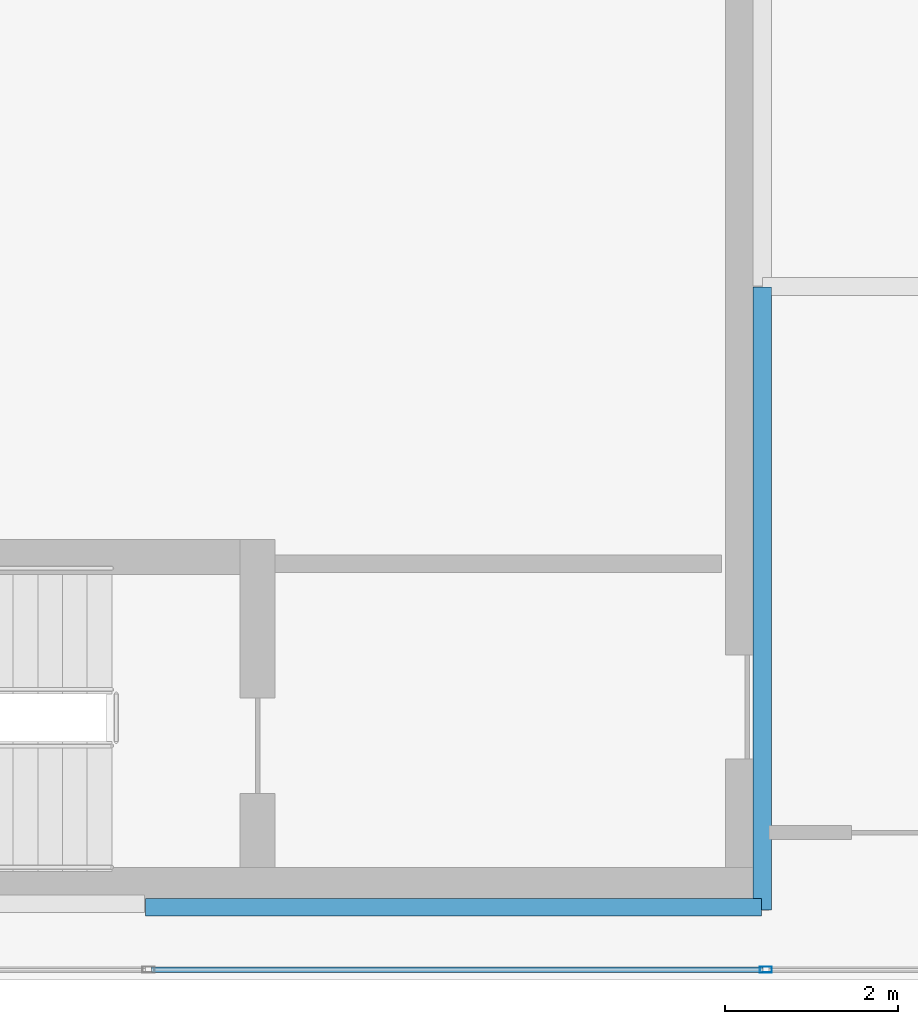
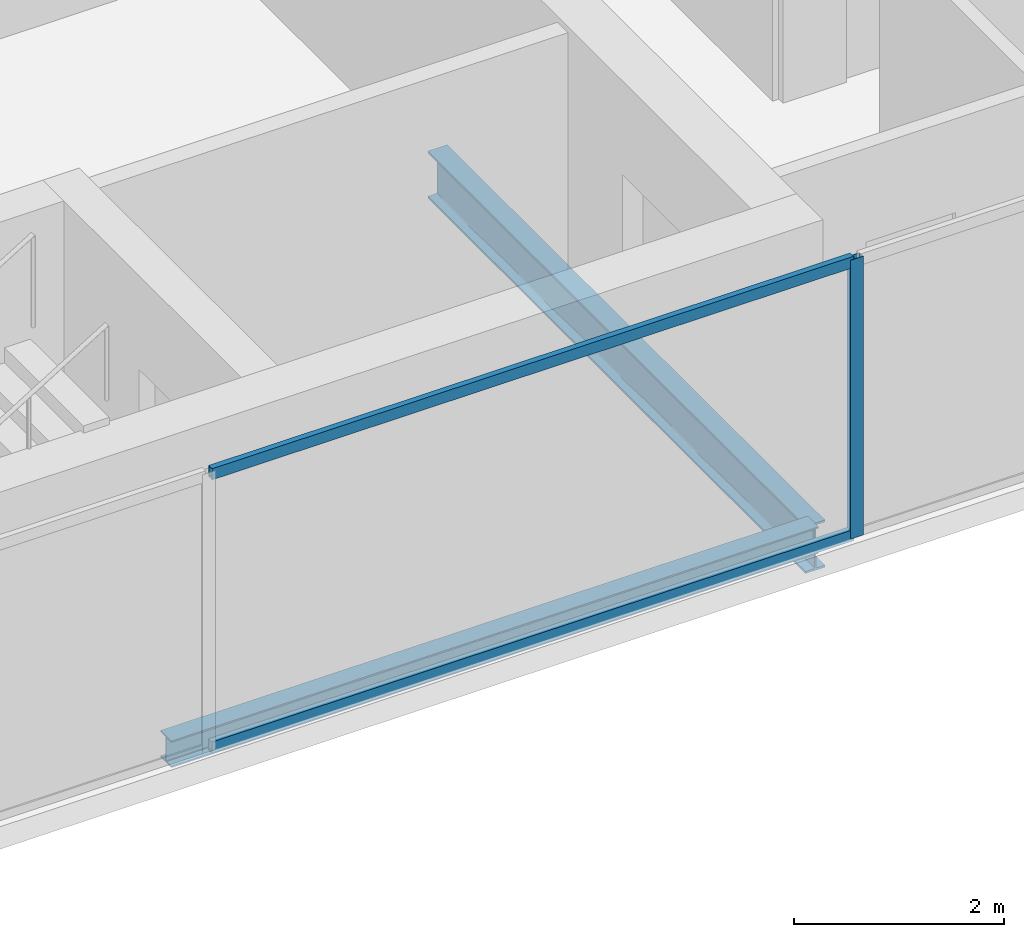
# One storey, part 3 of 23: 3 members, 2 beams, 1 element without a shape of its own.
"""IFC4 building model written with IfcOpenShell, lengths in metres."""

from ifc_helpers import new_model, si_unit, direction, frame, origin, origin_2d, place, context, subcontext, project, spatial, hollow_rectangle, i_section, extrude, material, material_profile, profile_set, type_object, element, aggregate, save


model = new_model("IFC4")

# Units and contexts
model_context = context("Model", 3, precision=1e-05, world=origin(), true_north=direction((0.0, 1.0)))
body_context = subcontext(model_context, "Body", "Model", "MODEL_VIEW")
ifc_project = project(units=[si_unit("LENGTHUNIT", "METRE"), si_unit("AREAUNIT", "SQUARE_METRE"), si_unit("VOLUMEUNIT", "CUBIC_METRE"), si_unit("PLANEANGLEUNIT", "RADIAN"), si_unit("MASSUNIT", "GRAM", prefix="KILO")], contexts=[model_context])

# Site, building, storey
site_placement = place(None, origin())
site = spatial("IfcSite", under=ifc_project, at=site_placement, CompositionType="ELEMENT")
building_placement = place(site_placement, origin())
building = spatial("IfcBuilding", under=site, at=building_placement, Name="Cobrela Telecom Tower", CompositionType="ELEMENT")
storey_placement = place(building_placement, frame((0.0, 0.0, 276.14990234375)))
storey = spatial("IfcBuildingStorey", under=building, at=storey_placement, Name="L72", CompositionType="ELEMENT", Elevation=276.14990234375)

# Beams
ifc_material_1 = material(Name="Steel ASTM A992 Grade 50", Category="steel")
ifc_material_profile_1 = material_profile(ifc_material_1, i_section(OverallWidth=0.212890625, OverallDepth=0.549072265625, WebThickness=0.0146484375, FlangeThickness=0.023681640625, FilletRadius=0.013916015625, at=origin_2d()), Name="W21X93")
ifc_profile_set_1 = profile_set([ifc_material_profile_1], Name="Steel ASTM A992 Grade 50")
beam_type_1 = type_object("IfcBeamType", Name="BM-GIRD-08", PredefinedType="USERDEFINED", material=ifc_profile_set_1)
beam_1_placement = place(storey_placement, frame((14.320068359375, 7.205078125, -0.534423828125), z_axis=(0.0, 1.0, 0.0), x_axis=(-1.0, 0.0, 0.0)))
element("IfcBeam", 1, at=beam_1_placement, inside=storey, type_object=beam_type_1, Name="L72 Primary Girder Y21", ObjectType="GIRDER", PredefinedType="USERDEFINED", context=body_context, shape_type="SweptSolid", body=[
    extrude(i_section(OverallWidth=0.212890625, OverallDepth=0.549072265625, WebThickness=0.0146484375, FlangeThickness=0.023681640625, FilletRadius=0.013916015625, at=origin_2d()), origin(), (0.0, 0.0, 1.0), 7.18994140625),
])
ifc_material_profile_2 = material_profile(ifc_material_1, i_section(OverallWidth=0.205078125, OverallDepth=0.31005859375, WebThickness=0.009521484375, FlangeThickness=0.016357421875, FilletRadius=0.010986328125, at=origin_2d()), Name="W12X50")
ifc_profile_set_2 = profile_set([ifc_material_profile_2], Name="Steel ASTM A992 Grade 50")
beam_type_2 = type_object("IfcBeamType", Name="BM-SPAND-07", PredefinedType="SPANDREL", material=ifc_profile_set_2)
beam_2_placement = place(storey_placement, frame((7.205078125, 7.239990234375, -0.414794921875), z_axis=(1.0, 0.0, 0.0), x_axis=(0.0, 1.0, 0.0)))
element("IfcBeam", 2, at=beam_2_placement, inside=storey, type_object=beam_type_2, Name="L72 Perimeter Spandrel X02", PredefinedType="SPANDREL", context=body_context, shape_type="SweptSolid", body=[
    extrude(i_section(OverallWidth=0.205078125, OverallDepth=0.31005859375, WebThickness=0.009521484375, FlangeThickness=0.016357421875, FilletRadius=0.010986328125, at=origin_2d()), origin(), (0.0, 0.0, 1.0), 7.10986328125),
])

# Curtain wall, members
ifc_material_2 = material(Name="Anodized Bronze Aluminium 6063-T6", Category="aluminium")
curtain_wall_type = type_object("IfcCurtainWallType", Name="CW-SYS-OFF-HI", PredefinedType="USERDEFINED", material=ifc_material_2)
curtain_wall_placement = place(storey_placement, origin())
curtain_wall = element("IfcCurtainWall", 3, at=curtain_wall_placement, inside=storey, type_object=curtain_wall_type, Name="L72 Unitised Bronze Curtain Wall 15", ObjectType="UNITISED CURTAIN WALL", PredefinedType="USERDEFINED")
ifc_material_profile_3 = material_profile(ifc_material_2, hollow_rectangle(XDim=0.070068359375, YDim=0.139892578125, WallThickness=0.00390625, at=origin_2d()), Name="ALU 70x140x4")
ifc_profile_set_3 = profile_set([ifc_material_profile_3], Name="Anodized Bronze Aluminium 6063-T6")
member_type_1 = type_object("IfcMemberType", Name="CW-SYS-OFF-HI-MUL", PredefinedType="MULLION", material=ifc_profile_set_3)
member_1_placement = place(storey_placement, frame((14.36328125, 6.52001953125, 0.0), z_axis=(0.0, 0.0, 1.0), x_axis=(0.0, -1.0, 0.0)))
member_1 = element("IfcMember", 4, at=member_1_placement, type_object=member_type_1, Name="CW-OFF-HI mullion 5", PredefinedType="MULLION", context=body_context, shape_type="SweptSolid", body=[
    extrude(hollow_rectangle(XDim=0.070068359375, YDim=0.139892578125, WallThickness=0.00390625, at=origin_2d()), origin(), (0.0, 0.0, 1.0), 3.239990234375),
])
ifc_material_profile_4 = material_profile(ifc_material_2, hollow_rectangle(XDim=0.06494140625, YDim=0.1298828125, WallThickness=0.00390625, at=origin_2d()), Name="ALU 65x130x4")
ifc_profile_set_4 = profile_set([ifc_material_profile_4], Name="Anodized Bronze Aluminium 6063-T6")
member_type_2 = type_object("IfcMemberType", Name="CW-SYS-OFF-HI-TRN", PredefinedType="USERDEFINED", material=ifc_profile_set_4)
member_2_placement = place(storey_placement, frame((14.328369140625, 6.52001953125, 0.03271484375), z_axis=(-1.0, 0.0, 0.0), x_axis=(0.0, -1.0, 0.0)))
member_2 = element("IfcMember", 5, at=member_2_placement, type_object=member_type_2, Name="CW-OFF-HI transom 5.1", ObjectType="TRANSOM", PredefinedType="USERDEFINED", context=body_context, shape_type="SweptSolid", body=[
    extrude(hollow_rectangle(XDim=0.06494140625, YDim=0.1298828125, WallThickness=0.00390625, at=origin_2d()), origin(), (0.0, 0.0, 1.0), 7.0517578125),
])
member_3_placement = place(storey_placement, frame((14.328369140625, 6.52001953125, 3.20751953125), z_axis=(-1.0, 0.0, 0.0), x_axis=(0.0, -1.0, 0.0)))
member_3 = element("IfcMember", 6, at=member_3_placement, type_object=member_type_2, Name="CW-OFF-HI transom 5.2", ObjectType="TRANSOM", PredefinedType="USERDEFINED", context=body_context, shape_type="SweptSolid", body=[
    extrude(hollow_rectangle(XDim=0.06494140625, YDim=0.1298828125, WallThickness=0.00390625, at=origin_2d()), origin(), (0.0, 0.0, 1.0), 7.0517578125),
])
aggregate(curtain_wall, [member_1, member_2, member_3])

save(model, "model.ifc")
